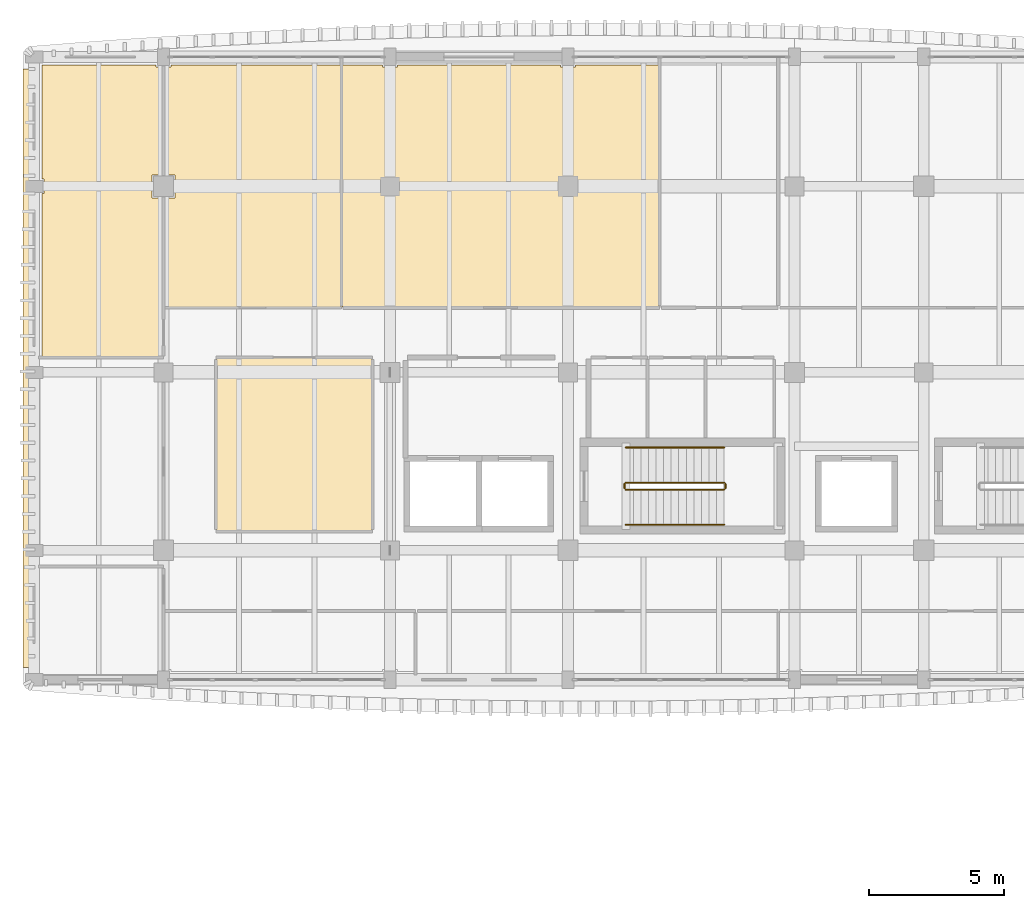
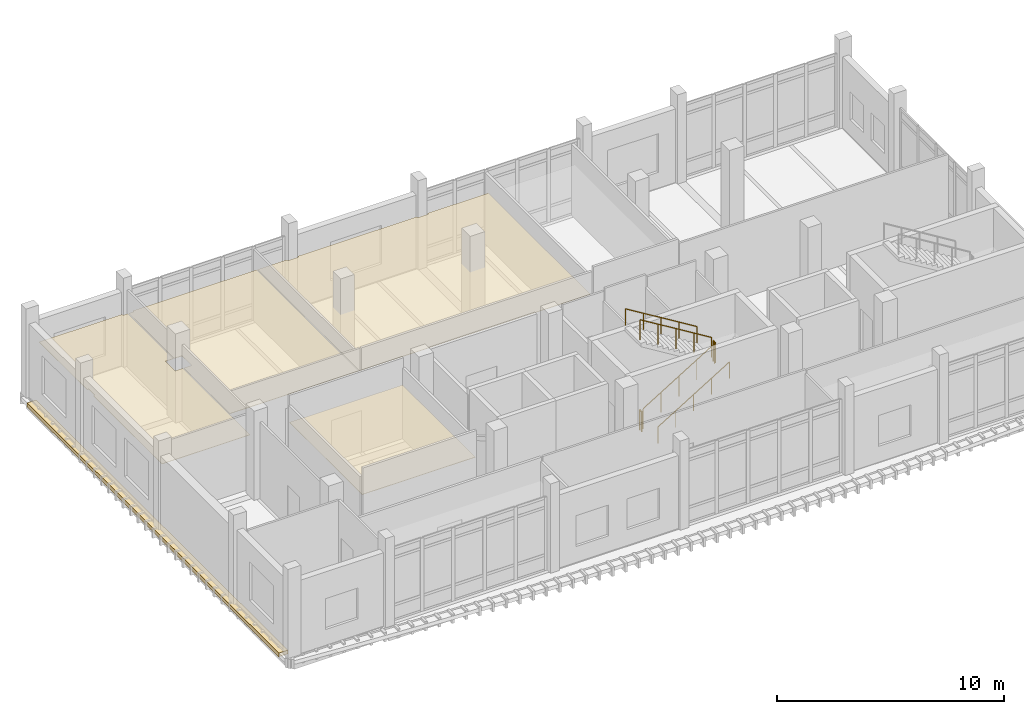
# One storey, part 28 of 39: 6 railings, 5 coverings.
"""IFC4 building model written with IfcOpenShell, lengths in metres."""

from ifc_helpers import new_model, si_unit, direction, frame, origin, origin_2d, place, context, subcontext, project, spatial, polyline, circle, outline, extrude, material, layer, layer_set, type_object, element, save


model = new_model("IFC4")

# Units and contexts
model_context = context("Model", 3, precision=1e-05, world=origin(), true_north=direction((0.0, 1.0)))
body_context = subcontext(model_context, "Body", "Model", "MODEL_VIEW")
ifc_project = project(units=[si_unit("LENGTHUNIT", "METRE"), si_unit("AREAUNIT", "SQUARE_METRE"), si_unit("VOLUMEUNIT", "CUBIC_METRE"), si_unit("PLANEANGLEUNIT", "RADIAN"), si_unit("MASSUNIT", "GRAM", prefix="KILO")], contexts=[model_context])

# Site, building, storey
site_placement = place(None, origin())
site = spatial("IfcSite", under=ifc_project, at=site_placement, CompositionType="ELEMENT")
building_placement = place(site_placement, origin())
building = spatial("IfcBuilding", under=site, at=building_placement, Name="Dornvale Research Institute", CompositionType="ELEMENT")
storey_placement = place(building_placement, frame((0.0, 0.0, 24.60009765625)))
storey = spatial("IfcBuildingStorey", under=building, at=storey_placement, Name="L05", CompositionType="ELEMENT", Elevation=24.60009765625)

# Coverings
ifc_material_1 = material(Name="Mineral-Fibre Acoustic Lay-In Ceiling Tile System")
ifc_layer_1 = layer(ifc_material_1, 0.02001953125)
ifc_layer_set_1 = layer_set([ifc_layer_1], Name="Mineral-Fibre Acoustic Lay-In Ceiling Tile System")
covering_type_1 = type_object("IfcCoveringType", Name="Covering_Acoustic_Ceiling", PredefinedType="CEILING", material=ifc_layer_set_1)
covering_1_placement = place(storey_placement, frame((0.0, 0.0, 2.849853515625)))
element("IfcCovering", 1, at=covering_1_placement, inside=storey, type_object=covering_type_1, Name="L05 Statistical Consultation Room L05 suspended ceiling", PredefinedType="CEILING", context=body_context, shape_type="SweptSolid", body=[
    extrude(outline(polyline([(6.77001953125, 104.52001953125), (6.77001953125, 110.929931640625), (12.530029296875, 110.929931640625), (12.530029296875, 104.52001953125), (6.77001953125, 104.52001953125)])), origin(), (0.0, 0.0, 1.0), 0.02001953125),
])
covering_2_placement = place(storey_placement, frame((0.0, 0.0, 2.849853515625)))
element("IfcCovering", 2, at=covering_2_placement, inside=storey, type_object=covering_type_1, Name="L05 Principal Investigator Office L05-A suspended ceiling", PredefinedType="CEILING", context=body_context, shape_type="SweptSolid", body=[
    extrude(outline(polyline([(0.300048828125, 110.969970703125), (0.300048828125, 117.02490234375), (0.375, 117.02490234375), (0.375, 117.574951171875), (0.300048828125, 117.574951171875), (0.300048828125, 121.800048828125), (4.52490234375, 121.800048828125), (4.52490234375, 121.72509765625), (4.780029296875, 121.72509765625), (4.780029296875, 117.72509765625), (4.375, 117.72509765625), (4.375, 116.875), (4.780029296875, 116.875), (4.780029296875, 110.969970703125), (0.300048828125, 110.969970703125)])), origin(), (0.0, 0.0, 1.0), 0.02001953125),
])
covering_3_placement = place(storey_placement, frame((0.0, 0.0, 2.849853515625)))
element("IfcCovering", 3, at=covering_3_placement, inside=storey, type_object=covering_type_1, Name="L05 Principal Investigator Office L05-A suspended ceiling", PredefinedType="CEILING", context=body_context, shape_type="SweptSolid", body=[
    extrude(outline(polyline([(4.820068359375, 112.820068359375), (4.820068359375, 116.875), (5.22509765625, 116.875), (5.22509765625, 117.72509765625), (4.820068359375, 117.72509765625), (4.820068359375, 121.72509765625), (5.074951171875, 121.72509765625), (5.074951171875, 121.800048828125), (11.3798828125, 121.800048828125), (11.3798828125, 112.820068359375), (4.820068359375, 112.820068359375)])), origin(), (0.0, 0.0, 1.0), 0.02001953125),
])
covering_4_placement = place(storey_placement, frame((0.0, 0.0, 2.849853515625)))
element("IfcCovering", 4, at=covering_4_placement, inside=storey, type_object=covering_type_1, Name="L05 Applied Mathematics Modelling Studio suspended ceiling", PredefinedType="CEILING", context=body_context, shape_type="SweptSolid", body=[
    extrude(outline(polyline([(20.074951171875, 121.72509765625), (20.074951171875, 121.800048828125), (23.179931640625, 121.800048828125), (23.179931640625, 112.820068359375), (11.419921875, 112.820068359375), (11.419921875, 121.800048828125), (12.925048828125, 121.800048828125), (12.925048828125, 121.72509765625), (13.47509765625, 121.72509765625), (13.47509765625, 121.800048828125), (19.52490234375, 121.800048828125), (19.52490234375, 121.72509765625), (20.074951171875, 121.72509765625)])), origin(), (0.0, 0.0, 1.0), 0.02001953125),
])
ifc_material_2 = material(Name="Polychrome Glazed Terracotta Visor Rib Ceramic", Category="masonry")
ifc_layer_2 = layer(ifc_material_2, 0.199951171875)
ifc_layer_set_2 = layer_set([ifc_layer_2], Name="Polychrome Glazed Terracotta Visor Rib Ceramic")
covering_type_2 = type_object("IfcCoveringType", Name="Covering_VisorBrim_Shelf", PredefinedType="CLADDING", material=ifc_layer_set_2)
covering_5_placement = place(storey_placement, frame((0.0, 0.0, -0.280029296875)))
element("IfcCovering", 5, at=covering_5_placement, inside=storey, type_object=covering_type_2, Name="L05 V5 canted bowed-brim visor hood #23", PredefinedType="CLADDING", context=body_context, shape_type="SweptSolid", body=[
    extrude(outline(polyline([(-0.4033203125, 121.64990234375), (0.06005859375, 121.64990234375), (0.06005859375, 99.449951171875), (-0.4033203125, 99.449951171875), (-0.4033203125, 121.64990234375)])), origin(), (0.0, 0.0, 1.0), 0.199951171875),
])

# Railings
ifc_material_3 = material(Name="Galvanized Painted Tubular Steel Stair Rail", Category="steel")
ifc_layer_3 = layer(ifc_material_3, 0.050048828125)
ifc_layer_set_3 = layer_set([ifc_layer_3], Name="Galvanized Painted Tubular Steel Stair Rail")
railing_type_1 = type_object("IfcRailingType", Name="Railing_Stair_Guard_1100", PredefinedType="GUARDRAIL", material=ifc_layer_set_3)
railing_1_placement = place(storey_placement, frame((21.949951171875, 106.050048828125, 0.17138671875)))
element("IfcRailing", 6, at=railing_1_placement, inside=storey, type_object=railing_type_1, Name="L05 ST-1 stair guard 1", PredefinedType="GUARDRAIL", context=body_context, shape_type="SweptSolid", body=[
    extrude(circle(Radius=0.02392578125, at=origin_2d()), frame((0.0, 0.0, 1.076171875), z_axis=(0.852865859571, 0.0, 0.52213008492), x_axis=(0.0, 1.0, 0.0)), (0.0, 0.0, 1.0), 4.26806640625),
    extrude(circle(Radius=0.02099609375, at=origin_2d()), origin(), (0.0, 0.0, 1.0), 1.052001953125),
    extrude(circle(Radius=0.02099609375, at=origin_2d()), frame((0.91015625, 0.0, 0.55712890625)), (0.0, 0.0, 1.0), 1.052001953125),
    extrude(circle(Radius=0.02099609375, at=origin_2d()), frame((1.820068359375, 0.0, 1.1142578125)), (0.0, 0.0, 1.0), 1.052001953125),
    extrude(circle(Radius=0.02099609375, at=origin_2d()), frame((2.72998046875, 0.0, 1.67138671875)), (0.0, 0.0, 1.0), 1.052001953125),
    extrude(circle(Radius=0.02099609375, at=origin_2d()), frame((3.64013671875, 0.0, 2.228515625)), (0.0, 0.0, 1.0), 1.052001953125),
])
railing_2_placement = place(storey_placement, frame((25.639892578125, 106.10009765625, 2.39990234375)))
element("IfcRailing", 7, at=railing_2_placement, inside=storey, type_object=railing_type_1, Name="L05 ST-1 stair guard 2", PredefinedType="GUARDRAIL", context=body_context, shape_type="SweptSolid", body=[
    extrude(circle(Radius=0.02392578125, at=origin_2d()), frame((0.0, 0.0, 1.076171875), z_axis=(0.0, 1.0, 0.0), x_axis=(-1.0, 0.0, 0.0)), (0.0, 0.0, 1.0), 0.159912109375),
    extrude(circle(Radius=0.02099609375, at=origin_2d()), origin(), (0.0, 0.0, 1.0), 1.052001953125),
    extrude(circle(Radius=0.02099609375, at=origin_2d()), frame((0.0, 0.159912109375, 0.0)), (0.0, 0.0, 1.0), 1.052001953125),
])
railing_3_placement = place(storey_placement, frame((25.590087890625, 106.31005859375, 2.5712890625)))
element("IfcRailing", 8, at=railing_3_placement, inside=storey, type_object=railing_type_1, Name="L05 ST-1 stair guard 3", PredefinedType="GUARDRAIL", context=body_context, shape_type="SweptSolid", body=[
    extrude(circle(Radius=0.02392578125, at=origin_2d()), frame((0.0, 0.0, 1.076171875), z_axis=(-0.852865859571, 0.0, 0.52213008492), x_axis=(0.0, -1.0, 0.0)), (0.0, 0.0, 1.0), 4.26806640625),
    extrude(circle(Radius=0.02099609375, at=origin_2d()), origin(), (0.0, 0.0, 1.0), 1.052001953125),
    extrude(circle(Radius=0.02099609375, at=origin_2d()), frame((-0.91015625, 0.0, 0.55712890625)), (0.0, 0.0, 1.0), 1.052001953125),
    extrude(circle(Radius=0.02099609375, at=origin_2d()), frame((-1.820068359375, 0.0, 1.1142578125)), (0.0, 0.0, 1.0), 1.052001953125),
    extrude(circle(Radius=0.02099609375, at=origin_2d()), frame((-2.72998046875, 0.0, 1.67138671875)), (0.0, 0.0, 1.0), 1.052001953125),
    extrude(circle(Radius=0.02099609375, at=origin_2d()), frame((-3.64013671875, 0.0, 2.228515625)), (0.0, 0.0, 1.0), 1.052001953125),
])
railing_4_placement = place(storey_placement, frame((21.89990234375, 106.10009765625, 0.0)))
element("IfcRailing", 9, at=railing_4_placement, inside=storey, type_object=railing_type_1, Name="L05 ST-1 stair guard 4", PredefinedType="GUARDRAIL", context=body_context, shape_type="SweptSolid", body=[
    extrude(circle(Radius=0.02392578125, at=origin_2d()), frame((0.0, 0.0, 1.076171875), z_axis=(0.0, 1.0, 0.0), x_axis=(-1.0, 0.0, 0.0)), (0.0, 0.0, 1.0), 0.159912109375),
    extrude(circle(Radius=0.02099609375, at=origin_2d()), origin(), (0.0, 0.0, 1.0), 1.052001953125),
    extrude(circle(Radius=0.02099609375, at=origin_2d()), frame((0.0, 0.159912109375, 0.0)), (0.0, 0.0, 1.0), 1.052001953125),
])
ifc_material_4 = material(Name="Galvanized Painted Tubular Steel Stair Rail", Category="steel")
ifc_layer_4 = layer(ifc_material_4, 0.044921875)
ifc_layer_set_4 = layer_set([ifc_layer_4], Name="Galvanized Painted Tubular Steel Stair Rail")
railing_type_2 = type_object("IfcRailingType", Name="Railing_Stair_Handrail_900", PredefinedType="HANDRAIL", material=ifc_layer_set_4)
railing_5_placement = place(storey_placement, frame((21.949951171875, 104.75, 0.17138671875)))
element("IfcRailing", 10, at=railing_5_placement, inside=storey, type_object=railing_type_2, Name="L05 ST-1 stair handrail 1", PredefinedType="HANDRAIL", context=body_context, shape_type="SweptSolid", body=[
    extrude(circle(Radius=0.02392578125, at=origin_2d()), frame((0.0, 0.0, 0.8759765625), z_axis=(0.852865859571, 0.0, 0.52213008492), x_axis=(0.0, 1.0, 0.0)), (0.0, 0.0, 1.0), 4.26806640625),
    extrude(circle(Radius=0.02099609375, at=origin_2d()), origin(), (0.0, 0.0, 1.0), 0.851806640625),
    extrude(circle(Radius=0.02099609375, at=origin_2d()), frame((0.91015625, 0.0, 0.55712890625)), (0.0, 0.0, 1.0), 0.851806640625),
    extrude(circle(Radius=0.02099609375, at=origin_2d()), frame((1.820068359375, 0.0, 1.1142578125)), (0.0, 0.0, 1.0), 0.851806640625),
    extrude(circle(Radius=0.02099609375, at=origin_2d()), frame((2.72998046875, 0.0, 1.67138671875)), (0.0, 0.0, 1.0), 0.851806640625),
    extrude(circle(Radius=0.02099609375, at=origin_2d()), frame((3.64013671875, 0.0, 2.228515625)), (0.0, 0.0, 1.0), 0.851806640625),
])
railing_6_placement = place(storey_placement, frame((25.590087890625, 107.610107421875, 2.5712890625)))
element("IfcRailing", 11, at=railing_6_placement, inside=storey, type_object=railing_type_2, Name="L05 ST-1 stair handrail 2", PredefinedType="HANDRAIL", context=body_context, shape_type="SweptSolid", body=[
    extrude(circle(Radius=0.02392578125, at=origin_2d()), frame((0.0, 0.0, 0.8759765625), z_axis=(-0.852865859571, 0.0, 0.52213008492), x_axis=(0.0, -1.0, 0.0)), (0.0, 0.0, 1.0), 4.26806640625),
    extrude(circle(Radius=0.02099609375, at=origin_2d()), origin(), (0.0, 0.0, 1.0), 0.851806640625),
    extrude(circle(Radius=0.02099609375, at=origin_2d()), frame((-0.91015625, 0.0, 0.55712890625)), (0.0, 0.0, 1.0), 0.851806640625),
    extrude(circle(Radius=0.02099609375, at=origin_2d()), frame((-1.820068359375, 0.0, 1.1142578125)), (0.0, 0.0, 1.0), 0.851806640625),
    extrude(circle(Radius=0.02099609375, at=origin_2d()), frame((-2.72998046875, 0.0, 1.67138671875)), (0.0, 0.0, 1.0), 0.851806640625),
    extrude(circle(Radius=0.02099609375, at=origin_2d()), frame((-3.64013671875, 0.0, 2.228515625)), (0.0, 0.0, 1.0), 0.851806640625),
])

save(model, "model.ifc")
